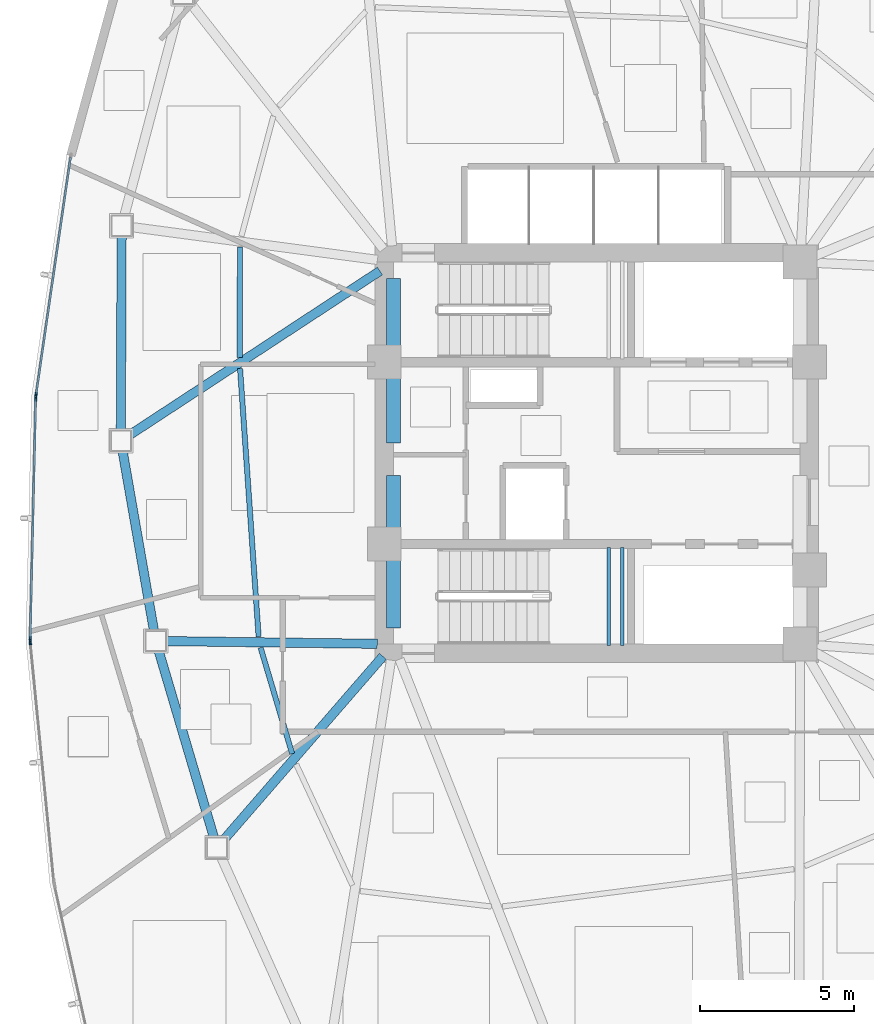
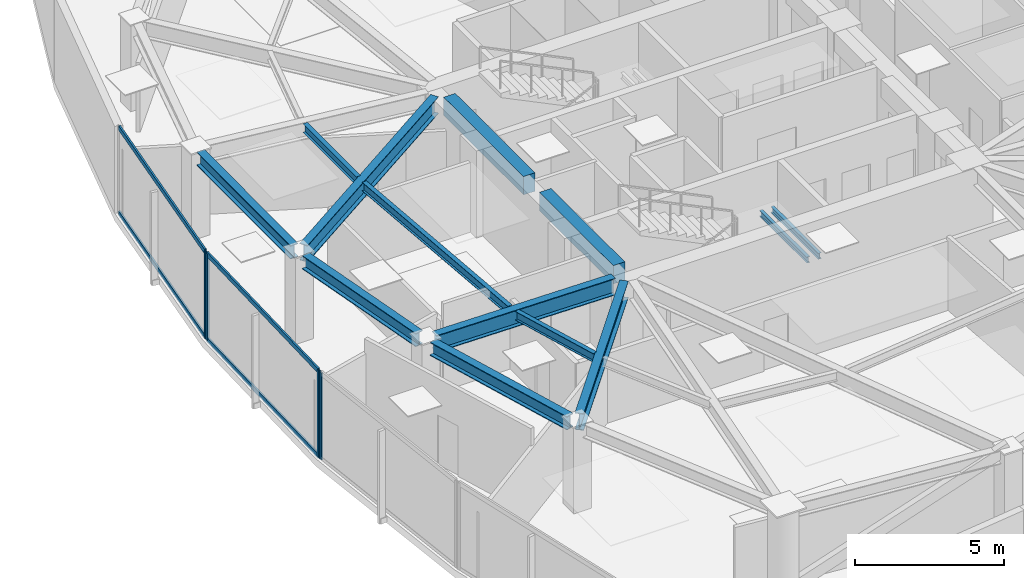
# One storey, part 4 of 16: 13 beams, 8 members, 3 elements without a shape of their own.
"""IFC4 building model written with IfcOpenShell, lengths in metres."""

from ifc_helpers import new_model, si_unit, direction, frame, origin, origin_2d, place, context, subcontext, project, spatial, rectangle, hollow_rectangle, i_section, extrude, source, transform, mapped, material, layer, layer_set, material_profile, profile_set, type_object, type_shapes, element, aggregate, save


model = new_model("IFC4")

# Units and contexts
model_context = context("Model", 3, precision=1e-05, world=origin(), true_north=direction((0.0, 1.0)))
body_context = subcontext(model_context, "Body", "Model", "MODEL_VIEW")
ifc_project = project(units=[si_unit("LENGTHUNIT", "METRE"), si_unit("AREAUNIT", "SQUARE_METRE"), si_unit("VOLUMEUNIT", "CUBIC_METRE"), si_unit("PLANEANGLEUNIT", "RADIAN"), si_unit("MASSUNIT", "GRAM", prefix="KILO")], contexts=[model_context])

# Site, building, storey
site_placement = place(None, origin())
site = spatial("IfcSite", under=ifc_project, at=site_placement, CompositionType="ELEMENT")
building_placement = place(site_placement, origin())
building = spatial("IfcBuilding", under=site, at=building_placement, Name="Tavelor Broadcast Tower", CompositionType="ELEMENT")
storey_placement = place(building_placement, frame((0.0, 0.0, 138.699951171875)))
storey = spatial("IfcBuildingStorey", under=building, at=storey_placement, Name="L32", CompositionType="ELEMENT", Elevation=138.699951171875)

# Beams
ifc_material_1 = material(Name="Concrete C40/50", Category="concrete")
ifc_material_profile_1 = material_profile(ifc_material_1, rectangle(XDim=0.449951171875, YDim=0.75, at=origin_2d()), Name="RC 450x750")
ifc_profile_set_1 = profile_set([ifc_material_profile_1], Name="Concrete C40/50")
beam_type_1 = type_object("IfcBeamType", Name="Basement Core Trim Beam 450x750", PredefinedType="BEAM", material=ifc_profile_set_1)
beam_1_placement = place(storey_placement, frame((43.39990234375, 45.327880859375, 3.175048828125), z_axis=(0.0, 1.0, 0.0), x_axis=(-1.0, 0.0, 0.0)))
element("IfcBeam", 1, at=beam_1_placement, inside=storey, type_object=beam_type_1, Name="L32 Core West-N Tie Girder", PredefinedType="BEAM", context=body_context, shape_type="SweptSolid", body=[
    extrude(rectangle(XDim=0.449951171875, YDim=0.75, at=origin_2d()), origin(), (0.0, 0.0, 1.0), 5.34423828125),
])
beam_2_placement = place(storey_placement, frame((43.39990234375, 39.327880859375, 3.175048828125), z_axis=(0.0, 1.0, 0.0), x_axis=(-1.0, 0.0, 0.0)))
element("IfcBeam", 2, at=beam_2_placement, inside=storey, type_object=beam_type_1, Name="L32 Core West-S Tie Girder", PredefinedType="BEAM", context=body_context, shape_type="SweptSolid", body=[
    extrude(rectangle(XDim=0.449951171875, YDim=0.75, at=origin_2d()), origin(), (0.0, 0.0, 1.0), 4.944091796875),
])
ifc_material_2 = material(Name="Steel S355", Category="steel")
ifc_material_profile_2 = material_profile(ifc_material_2, i_section(OverallWidth=0.169921875, OverallDepth=0.360107421875, WebThickness=0.008056640625, FlangeThickness=0.0126953125, at=origin_2d()), Name="IPE 360")
ifc_profile_set_2 = profile_set([ifc_material_profile_2], Name="Steel S355")
beam_type_2 = type_object("IfcBeamType", Name="Composite Floor Joist T3 IPE 360", PredefinedType="JOIST", material=ifc_profile_set_2)
beam_3_placement = place(storey_placement, frame((38.413818359375, 51.685302734375, 3.3701171875), z_axis=(-0.002320654457, -0.999997307278, 0.0), x_axis=(0.999997307278, -0.002320654457, 0.0)))
element("IfcBeam", 3, at=beam_3_placement, inside=storey, type_object=beam_type_2, Name="L32 Secondary Composite Floor Joist 03", PredefinedType="JOIST", context=body_context, shape_type="SweptSolid", body=[
    extrude(i_section(OverallWidth=0.169921875, OverallDepth=0.360107421875, WebThickness=0.008056640625, FlangeThickness=0.0126953125, at=origin_2d()), origin(), (0.0, 0.0, 1.0), 3.576904296875),
])
beam_4_placement = place(storey_placement, frame((38.41748046875, 47.74658203125, 3.3701171875), z_axis=(0.069100565304, -0.997609699168, 0.0), x_axis=(0.997609699168, 0.069100565304, 0.0)))
element("IfcBeam", 4, at=beam_4_placement, inside=storey, type_object=beam_type_2, Name="L32 Secondary Composite Floor Joist 04", PredefinedType="JOIST", context=body_context, shape_type="SweptSolid", body=[
    extrude(i_section(OverallWidth=0.169921875, OverallDepth=0.360107421875, WebThickness=0.008056640625, FlangeThickness=0.0126953125, at=origin_2d()), origin(), (0.0, 0.0, 1.0), 8.730224609375),
])
beam_5_placement = place(storey_placement, frame((39.084716796875, 38.68310546875, 3.3701171875), z_axis=(0.285203072184, -0.958467113477, 0.0), x_axis=(0.958467113477, 0.285203072184, 0.0)))
element("IfcBeam", 5, at=beam_5_placement, inside=storey, type_object=beam_type_2, Name="L32 Secondary Composite Floor Joist 05", PredefinedType="JOIST", context=body_context, shape_type="SweptSolid", body=[
    extrude(i_section(OverallWidth=0.169921875, OverallDepth=0.360107421875, WebThickness=0.008056640625, FlangeThickness=0.0126953125, at=origin_2d()), origin(), (0.0, 0.0, 1.0), 3.593505859375),
])
ifc_material_profile_3 = material_profile(ifc_material_2, i_section(OverallWidth=0.300048828125, OverallDepth=0.550048828125, WebThickness=0.014892578125, FlangeThickness=0.029052734375, at=origin_2d()), Name="HEB 550")
ifc_profile_set_3 = profile_set([ifc_material_profile_3], Name="Steel S355")
beam_type_3 = type_object("IfcBeamType", Name="Perimeter Spandrel Beam T3 HEB 550", PredefinedType="SPANDREL", material=ifc_profile_set_3)
beam_6_placement = place(storey_placement, frame((34.57373046875, 52.043212890625, 3.275146484375), z_axis=(-0.00410245019, -0.999991584916, 0.0), x_axis=(0.999991584916, -0.00410245019, 0.0)))
element("IfcBeam", 6, at=beam_6_placement, inside=storey, type_object=beam_type_3, Name="L32 Framed-Tube Ring Spandrel 03", PredefinedType="SPANDREL", context=body_context, shape_type="SweptSolid", body=[
    extrude(i_section(OverallWidth=0.300048828125, OverallDepth=0.550048828125, WebThickness=0.014892578125, FlangeThickness=0.029052734375, at=origin_2d()), origin(), (0.0, 0.0, 1.0), 6.30810546875),
])
beam_7_placement = place(storey_placement, frame((34.604248046875, 45.068115234375, 3.275146484375), z_axis=(0.17197754126, -0.985100870623, 0.0), x_axis=(0.985100870623, 0.17197754126, 0.0)))
element("IfcBeam", 7, at=beam_7_placement, inside=storey, type_object=beam_type_3, Name="L32 Framed-Tube Ring Spandrel 04", PredefinedType="SPANDREL", context=body_context, shape_type="SweptSolid", body=[
    extrude(i_section(OverallWidth=0.300048828125, OverallDepth=0.550048828125, WebThickness=0.014892578125, FlangeThickness=0.029052734375, at=origin_2d()), origin(), (0.0, 0.0, 1.0), 5.925537109375),
])
beam_8_placement = place(storey_placement, frame((35.7763671875, 38.57763671875, 3.275146484375), z_axis=(0.283996338182, -0.958825364652, 0.0), x_axis=(0.958825364652, 0.283996338182, 0.0)))
element("IfcBeam", 8, at=beam_8_placement, inside=storey, type_object=beam_type_3, Name="L32 Framed-Tube Ring Spandrel 05", PredefinedType="SPANDREL", context=body_context, shape_type="SweptSolid", body=[
    extrude(i_section(OverallWidth=0.300048828125, OverallDepth=0.550048828125, WebThickness=0.014892578125, FlangeThickness=0.029052734375, at=origin_2d()), origin(), (0.0, 0.0, 1.0), 6.325439453125),
])
ifc_material_profile_4 = material_profile(ifc_material_2, i_section(OverallWidth=0.300048828125, OverallDepth=0.68994140625, WebThickness=0.014404296875, FlangeThickness=0.027099609375, at=origin_2d()), Name="HEA 700")
ifc_profile_set_4 = profile_set([ifc_material_profile_4], Name="Steel S355")
beam_type_4 = type_object("IfcBeamType", Name="Radial Floor Girder T3 HEA 700", PredefinedType="BEAM", material=ifc_profile_set_4)
beam_9_placement = place(storey_placement, frame((42.95849609375, 50.91064453125, 3.205078125), z_axis=(-0.836455571638, -0.548034740391, 0.0), x_axis=(0.548034740391, -0.836455571638, 0.0)))
element("IfcBeam", 9, at=beam_9_placement, inside=storey, type_object=beam_type_4, Name="L32 Radial Primary Floor Girder 04", PredefinedType="BEAM", context=body_context, shape_type="SweptSolid", body=[
    extrude(i_section(OverallWidth=0.300048828125, OverallDepth=0.68994140625, WebThickness=0.014404296875, FlangeThickness=0.027099609375, at=origin_2d()), origin(), (0.0, 0.0, 1.0), 9.720947265625),
])
beam_10_placement = place(storey_placement, frame((42.8720703125, 38.806884765625, 3.205078125), z_axis=(-0.999916440376, 0.012927190963, 0.0), x_axis=(-0.012927190963, -0.999916440376, 0.0)))
element("IfcBeam", 10, at=beam_10_placement, inside=storey, type_object=beam_type_4, Name="L32 Radial Primary Floor Girder 05", PredefinedType="BEAM", context=body_context, shape_type="SweptSolid", body=[
    extrude(i_section(OverallWidth=0.300048828125, OverallDepth=0.68994140625, WebThickness=0.014404296875, FlangeThickness=0.027099609375, at=origin_2d()), origin(), (0.0, 0.0, 1.0), 6.85546875),
])
beam_11_placement = place(storey_placement, frame((43.05419921875, 38.401123046875, 3.205078125), z_axis=(-0.655166261537, -0.755484725024, 0.0), x_axis=(0.755484725024, -0.655166261537, 0.0)))
element("IfcBeam", 11, at=beam_11_placement, inside=storey, type_object=beam_type_4, Name="L32 Radial Primary Floor Girder 06", PredefinedType="BEAM", context=body_context, shape_type="SweptSolid", body=[
    extrude(i_section(OverallWidth=0.300048828125, OverallDepth=0.68994140625, WebThickness=0.014404296875, FlangeThickness=0.027099609375, at=origin_2d()), origin(), (0.0, 0.0, 1.0), 7.885009765625),
])
ifc_material_profile_5 = material_profile(ifc_material_2, i_section(OverallWidth=0.1201171875, OverallDepth=0.239990234375, WebThickness=0.006103515625, FlangeThickness=0.009765625, at=origin_2d()), Name="IPE 240")
ifc_profile_set_5 = profile_set([ifc_material_profile_5], Name="Steel S355")
beam_type_5 = type_object("IfcBeamType", Name="Stairwell Landing Support Trimmer Beam IPE240", PredefinedType="BEAM", material=ifc_profile_set_5)
for number, where, z_axis, x_axis, name in (
    (12, (50.385009765625, 38.760009765625, 1.610107421875), (0.0, 1.0, 0.0), (-1.0, 0.0, 0.0), "L32 Stair Landing Support Beam 311"),
    (13, (50.824951171875, 38.760009765625, 1.610107421875), (0.0, 1.0, 0.0), (-1.0, 0.0, 0.0), "L32 Stair Landing Support Beam 312"),
):
    element("IfcBeam", number, at=place(storey_placement, frame(where, z_axis=z_axis, x_axis=x_axis)), inside=storey, type_object=beam_type_5, Name=name, PredefinedType="BEAM", context=body_context, shape_type="SweptSolid", body=[
        extrude(i_section(OverallWidth=0.1201171875, OverallDepth=0.239990234375, WebThickness=0.006103515625, FlangeThickness=0.009765625, at=origin_2d()), origin(), (0.0, 0.0, 1.0), 3.179931640625),
    ])

# Curtain wall, member
ifc_material_3 = material(Name="Architectural Anodized Aluminium", Category="aluminium")
ifc_layer = layer(ifc_material_3, 0.18994140625)
ifc_layer_set = layer_set([ifc_layer], Name="Architectural Anodized Aluminium")
curtain_wall_type = type_object("IfcCurtainWallType", Name="Tower Mid-Zone Acoustic Curtain Wall CW03", PredefinedType="NOTDEFINED", material=ifc_layer_set)
curtain_wall_1_placement = place(storey_placement, origin())
curtain_wall_1 = element("IfcCurtainWall", 14, at=curtain_wall_1_placement, inside=storey, type_object=curtain_wall_type, Name="L32 Curtain Wall CW03 Run 325", PredefinedType="NOTDEFINED")
ifc_material_profile_6 = material_profile(ifc_material_3, hollow_rectangle(XDim=0.068115234375, YDim=0.18994140625, WallThickness=0.02197265625, at=origin_2d()), Name="RHS 68x190x22")
ifc_profile_set_6 = profile_set([ifc_material_profile_6], Name="Architectural Anodized Aluminium")
member_type_1 = type_object("IfcMemberType", Name="CW03 Extruded Aluminium Mullion 68x190", PredefinedType="MULLION", material=ifc_profile_set_6)
shared_shape_1 = source(origin(), body_context, "Body", "SweptSolid", [
    extrude(hollow_rectangle(XDim=0.068115234375, YDim=0.18994140625, WallThickness=0.02197265625, at=origin_2d()), origin(), (0.0, 0.0, 1.0), 3.550048828125),
])
type_shapes(member_type_1, [shared_shape_1])
member_1_placement = place(storey_placement, frame((31.793701171875, 46.880126953125, 0.0), z_axis=(0.0, 0.0, 1.0), x_axis=(0.989588798256, -0.143923626852, 0.0)))
member_1 = element("IfcMember", 15, at=member_1_placement, type_object=member_type_1, Name="CW03 mullion 2", PredefinedType="MULLION", context=body_context, shape_type="MappedRepresentation", body=[
    mapped(shared_shape_1, transform((0.0, 0.0, 0.0), scale=1.0)),
])

# Curtain wall, members
curtain_wall_2_placement = place(storey_placement, origin())
curtain_wall_2 = element("IfcCurtainWall", 16, at=curtain_wall_2_placement, inside=storey, type_object=curtain_wall_type, Name="L32 Curtain Wall CW03 Run 326", PredefinedType="NOTDEFINED")
member_2_placement = place(storey_placement, frame((31.785400390625, 46.78271484375, 0.0), z_axis=(0.0, 0.0, 1.0), x_axis=(0.999732699478, -0.023119896074, 0.0)))
member_2 = element("IfcMember", 17, at=member_2_placement, type_object=member_type_1, Name="CW03 mullion 1", PredefinedType="MULLION", context=body_context, shape_type="MappedRepresentation", body=[
    mapped(shared_shape_1, transform((0.0, 0.0, 0.0), scale=1.0)),
])
member_3_placement = place(storey_placement, frame((31.604736328125, 38.963623046875, 0.0), z_axis=(0.0, 0.0, 1.0), x_axis=(0.999732699478, -0.023119896074, 0.0)))
member_3 = element("IfcMember", 18, at=member_3_placement, type_object=member_type_1, Name="CW03 mullion 2", PredefinedType="MULLION", context=body_context, shape_type="MappedRepresentation", body=[
    mapped(shared_shape_1, transform((0.0, 0.0, 0.0), scale=1.0)),
])

# Curtain wall, member
curtain_wall_3_placement = place(storey_placement, origin())
curtain_wall_3 = element("IfcCurtainWall", 19, at=curtain_wall_3_placement, inside=storey, type_object=curtain_wall_type, Name="L32 Curtain Wall CW03 Run 327", PredefinedType="NOTDEFINED")
member_4_placement = place(storey_placement, frame((31.6083984375, 38.86572265625, 0.0), z_axis=(0.0, 0.0, 1.0), x_axis=(0.995183189731, 0.098032743897, 0.0)))
member_4 = element("IfcMember", 20, at=member_4_placement, type_object=member_type_1, Name="CW03 mullion 1", PredefinedType="MULLION", context=body_context, shape_type="MappedRepresentation", body=[
    mapped(shared_shape_1, transform((0.0, 0.0, 0.0), scale=1.0)),
])
aggregate(curtain_wall_3, [member_4])

# Member
ifc_material_profile_7 = material_profile(ifc_material_3, hollow_rectangle(XDim=0.068115234375, YDim=0.18994140625, WallThickness=0.02197265625, at=origin_2d()), Name="RHS 68x190x22")
ifc_profile_set_7 = profile_set([ifc_material_profile_7], Name="Architectural Anodized Aluminium")
member_type_2 = type_object("IfcMemberType", Name="CW03 Extruded Aluminium Transom 68x190", PredefinedType="USERDEFINED", material=ifc_profile_set_7)
shared_shape_2 = source(origin(), body_context, "Body", "SweptSolid", [
    extrude(hollow_rectangle(XDim=0.068115234375, YDim=0.18994140625, WallThickness=0.02197265625, at=origin_2d()), origin(), (0.0, 0.0, 1.0), 7.768310546875),
])
member_5_placement = place(storey_placement, frame((32.91650390625, 54.601318359375, 0.033935546875), z_axis=(-0.143906830919, -0.989591240874, 0.0), x_axis=(0.989591240874, -0.143906830919, 0.0)))
member_5 = element("IfcMember", 21, at=member_5_placement, type_object=member_type_2, Name="CW03 transom 1.1", ObjectType="TRANSOM", PredefinedType="USERDEFINED", context=body_context, shape_type="MappedRepresentation", body=[
    mapped(shared_shape_2, transform((0.0, 0.0, 0.0), scale=1.0)),
])

member_6_placement = place(storey_placement, frame((32.91650390625, 54.601318359375, 3.51611328125), z_axis=(-0.143906830919, -0.989591240874, 0.0), x_axis=(0.989591240874, -0.143906830919, 0.0)))
member_6 = element("IfcMember", 22, at=member_6_placement, type_object=member_type_2, Name="CW03 transom 1.2", ObjectType="TRANSOM", PredefinedType="USERDEFINED", context=body_context, shape_type="MappedRepresentation", body=[
    mapped(shared_shape_2, transform((0.0, 0.0, 0.0), scale=1.0)),
])

aggregate(curtain_wall_1, [member_1, member_5, member_6])

shared_shape_3 = source(origin(), body_context, "Body", "SweptSolid", [
    extrude(hollow_rectangle(XDim=0.068115234375, YDim=0.18994140625, WallThickness=0.02197265625, at=origin_2d()), origin(), (0.0, 0.0, 1.0), 7.753173828125),
])
type_shapes(member_type_2, [shared_shape_2, shared_shape_3])
member_7_placement = place(storey_placement, frame((31.78466796875, 46.748779296875, 0.033935546875), z_axis=(-0.023112662578, -0.999732866734, 0.0), x_axis=(0.999732866734, -0.023112662578, 0.0)))
member_7 = element("IfcMember", 23, at=member_7_placement, type_object=member_type_2, Name="CW03 transom 1.1", ObjectType="TRANSOM", PredefinedType="USERDEFINED", context=body_context, shape_type="MappedRepresentation", body=[
    mapped(shared_shape_3, transform((0.0, 0.0, 0.0), scale=1.0)),
])

member_8_placement = place(storey_placement, frame((31.78466796875, 46.748779296875, 3.51611328125), z_axis=(-0.023112662578, -0.999732866734, 0.0), x_axis=(0.999732866734, -0.023112662578, 0.0)))
member_8 = element("IfcMember", 24, at=member_8_placement, type_object=member_type_2, Name="CW03 transom 1.2", ObjectType="TRANSOM", PredefinedType="USERDEFINED", context=body_context, shape_type="MappedRepresentation", body=[
    mapped(shared_shape_3, transform((0.0, 0.0, 0.0), scale=1.0)),
])

aggregate(curtain_wall_2, [member_2, member_3, member_7, member_8])

save(model, "model.ifc")
